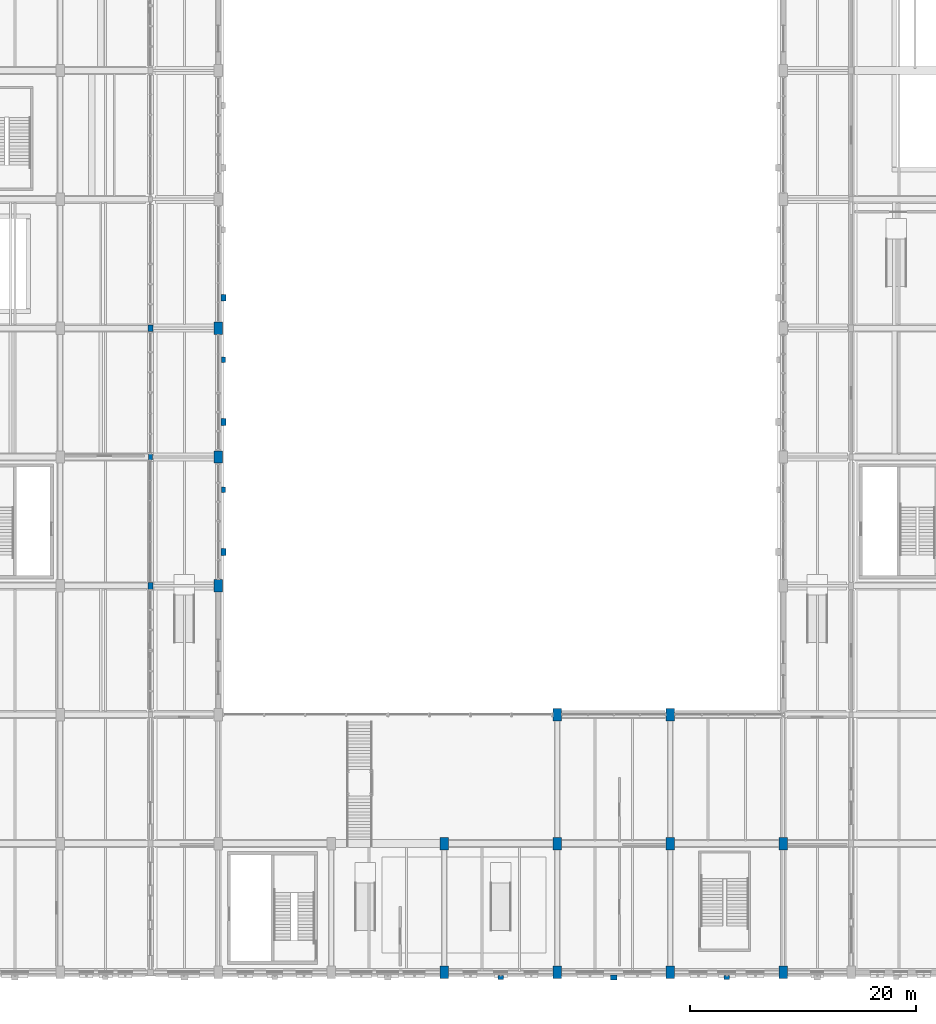
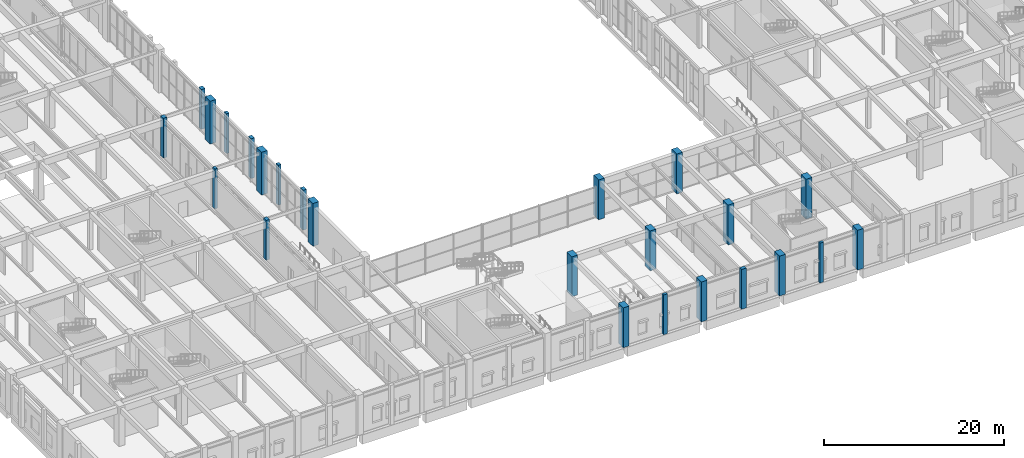
# One storey, part 7 of 113: 24 columns.
"""IFC4 building model written with IfcOpenShell, lengths in metres."""

from ifc_helpers import new_model, si_unit, direction, frame, origin, origin_2d, place, context, subcontext, project, spatial, rectangle, extrude, material, material_profile, profile_set, type_object, element, save


model = new_model("IFC4")

# Units and contexts
model_context = context("Model", 3, precision=1e-05, world=origin(), true_north=direction((0.0, 1.0)))
body_context = subcontext(model_context, "Body", "Model", "MODEL_VIEW")
ifc_project = project(units=[si_unit("LENGTHUNIT", "METRE"), si_unit("AREAUNIT", "SQUARE_METRE"), si_unit("VOLUMEUNIT", "CUBIC_METRE"), si_unit("PLANEANGLEUNIT", "RADIAN"), si_unit("MASSUNIT", "GRAM", prefix="KILO"), si_unit("POWERUNIT", "WATT"), si_unit("THERMODYNAMICTEMPERATUREUNIT", "KELVIN")], contexts=[model_context])

# Site, building, storey
site_placement = place(None, origin())
site = spatial("IfcSite", under=ifc_project, at=site_placement, CompositionType="ELEMENT")
building_placement = place(site_placement, origin())
building = spatial("IfcBuilding", under=site, at=building_placement, Name="Kelmbourne Parkland Aquatics Centre", CompositionType="ELEMENT")
storey_placement = place(building_placement, origin())
storey = spatial("IfcBuildingStorey", under=building, at=storey_placement, Name="L00", CompositionType="ELEMENT", Elevation=0.0)

# Columns
ifc_material_1 = material(Name="Concrete C40/50", Category="concrete")
ifc_material_profile_1 = material_profile(ifc_material_1, rectangle(XDim=0.75, YDim=1.10009765625, at=origin_2d()), Name="RC 750x1100")
ifc_profile_set_1 = profile_set([ifc_material_profile_1], Name="Concrete C40/50")
column_type_1 = type_object("IfcColumnType", Name="COL-C03", PredefinedType="COLUMN", material=ifc_profile_set_1)
for number, where, z_axis, x_axis, name in (
    (1, (46.0, 35.0, 0.0), (0.0, 0.0, 1.0), (1.0, 0.0, 0.0), "Structural column G-05 (L00)"),
    (2, (46.0, 46.39990234375, 0.0), (0.0, 0.0, 1.0), (1.0, 0.0, 0.0), "Structural column G-06 (L00)"),
    (3, (46.0, 57.800048828125, 0.0), (0.0, 0.0, 1.0), (1.0, 0.0, 0.0), "Structural column G-08 (L00)"),
):
    element("IfcColumn", number, at=place(storey_placement, frame(where, z_axis=z_axis, x_axis=x_axis)), inside=storey, type_object=column_type_1, Name=name, PredefinedType="COLUMN", context=body_context, shape_type="SweptSolid", body=[
        extrude(rectangle(XDim=0.75, YDim=1.10009765625, at=origin_2d()), origin(), (0.0, 0.0, 1.0), 5.800048828125),
    ])
for number, where, z_axis, x_axis, name in (
    (4, (66.0, 0.800048828125, 0.0), (0.0, 0.0, 1.0), (1.0, 0.0, 0.0), "Structural column I-01 (L00)"),
    (5, (66.0, 12.199951171875, 0.0), (0.0, 0.0, 1.0), (1.0, 0.0, 0.0), "Structural column I-03 (L00)"),
    (6, (76.0, 0.800048828125, 0.0), (0.0, 0.0, 1.0), (1.0, 0.0, 0.0), "Structural column J-01 (L00)"),
    (7, (76.0, 12.199951171875, 0.0), (0.0, 0.0, 1.0), (1.0, 0.0, 0.0), "Structural column J-03 (L00)"),
    (8, (76.0, 23.60009765625, 0.0), (0.0, 0.0, 1.0), (1.0, 0.0, 0.0), "Structural column J-04 (L00)"),
    (9, (86.0, 0.800048828125, 0.0), (0.0, 0.0, 1.0), (1.0, 0.0, 0.0), "Structural column K-01 (L00)"),
    (10, (86.0, 12.199951171875, 0.0), (0.0, 0.0, 1.0), (1.0, 0.0, 0.0), "Structural column K-03 (L00)"),
    (11, (86.0, 23.60009765625, 0.0), (0.0, 0.0, 1.0), (1.0, 0.0, 0.0), "Structural column K-04 (L00)"),
    (12, (96.0, 0.800048828125, 0.0), (0.0, 0.0, 1.0), (1.0, 0.0, 0.0), "Structural column L-01 (L00)"),
    (13, (96.0, 12.199951171875, 0.0), (0.0, 0.0, 1.0), (1.0, 0.0, 0.0), "Structural column L-03 (L00)"),
):
    element("IfcColumn", number, at=place(storey_placement, frame(where, z_axis=z_axis, x_axis=x_axis)), inside=storey, type_object=column_type_1, Name=name, PredefinedType="COLUMN", context=body_context, shape_type="SweptSolid", body=[
        extrude(rectangle(XDim=0.75, YDim=1.10009765625, at=origin_2d()), origin(), (0.0, 0.0, 1.0), 5.39990234375),
    ])
ifc_material_2 = material(Name="Clay brick masonry AS 3700 M12", Category="masonry")
ifc_material_profile_2 = material_profile(ifc_material_2, rectangle(XDim=0.35009765625, YDim=0.5, at=origin_2d()), Name="PIL 350x500")
ifc_profile_set_2 = profile_set([ifc_material_profile_2], Name="Clay brick masonry AS 3700 M12")
column_type_2 = type_object("IfcColumnType", Name="PIL-PL1", PredefinedType="PILASTER", material=ifc_profile_set_2)
for number, where, z_axis, x_axis, name in (
    (14, (40.0, 46.39990234375, 0.0), (0.0, 0.0, 1.0), (1.0, 0.0, 0.0), "Engaged brick pilaster F-06 (L00)"),
    (15, (71.0, 0.35009765625, 0.0), (0.0, 0.0, 1.0), (0.0, 1.0, 0.0), "Amsterdam School engaged brick buttress S-027 (L00)"),
    (16, (91.0, 0.35009765625, 0.0), (0.0, 0.0, 1.0), (0.0, 1.0, 0.0), "Amsterdam School engaged brick buttress S-029 (L00)"),
    (17, (46.449951171875, 43.5, 0.0), (0.0, 0.0, 1.0), (1.0, 0.0, 0.0), "Amsterdam School engaged brick buttress CW-035 (L00)"),
    (18, (46.449951171875, 55.0, 0.0), (0.0, 0.0, 1.0), (1.0, 0.0, 0.0), "Amsterdam School engaged brick buttress CW-037 (L00)"),
):
    element("IfcColumn", number, at=place(storey_placement, frame(where, z_axis=z_axis, x_axis=x_axis)), inside=storey, type_object=column_type_2, Name=name, PredefinedType="PILASTER", context=body_context, shape_type="SweptSolid", body=[
        extrude(rectangle(XDim=0.35009765625, YDim=0.5, at=origin_2d()), origin(), (0.0, 0.0, 1.0), 5.39990234375),
    ])
ifc_material_profile_3 = material_profile(ifc_material_2, rectangle(XDim=0.449951171875, YDim=0.60009765625, at=origin_2d()), Name="PIL 450x600")
ifc_profile_set_3 = profile_set([ifc_material_profile_3], Name="Clay brick masonry AS 3700 M12")
column_type_3 = type_object("IfcColumnType", Name="PIL-PL2", PredefinedType="PILASTER", material=ifc_profile_set_3)
for number, where, z_axis, x_axis, name in (
    (19, (40.0, 35.0, 0.0), (0.0, 0.0, 1.0), (1.0, 0.0, 0.0), "Engaged brick pilaster F-05 (L00)"),
    (20, (40.0, 57.800048828125, 0.0), (0.0, 0.0, 1.0), (1.0, 0.0, 0.0), "Engaged brick pilaster F-08 (L00)"),
    (21, (81.0, 0.35009765625, 0.0), (0.0, 0.0, 1.0), (0.0, 1.0, 0.0), "Amsterdam School engaged brick buttress S-028 (L00)"),
    (22, (46.449951171875, 38.0, 0.0), (0.0, 0.0, 1.0), (1.0, 0.0, 0.0), "Amsterdam School engaged brick buttress CW-034 (L00)"),
    (23, (46.449951171875, 49.5, 0.0), (0.0, 0.0, 1.0), (1.0, 0.0, 0.0), "Amsterdam School engaged brick buttress CW-036 (L00)"),
    (24, (46.449951171875, 60.5, 0.0), (0.0, 0.0, 1.0), (1.0, 0.0, 0.0), "Amsterdam School engaged brick buttress CW-038 (L00)"),
):
    element("IfcColumn", number, at=place(storey_placement, frame(where, z_axis=z_axis, x_axis=x_axis)), inside=storey, type_object=column_type_3, Name=name, PredefinedType="PILASTER", context=body_context, shape_type="SweptSolid", body=[
        extrude(rectangle(XDim=0.449951171875, YDim=0.60009765625, at=origin_2d()), origin(), (0.0, 0.0, 1.0), 5.39990234375),
    ])

save(model, "model.ifc")
